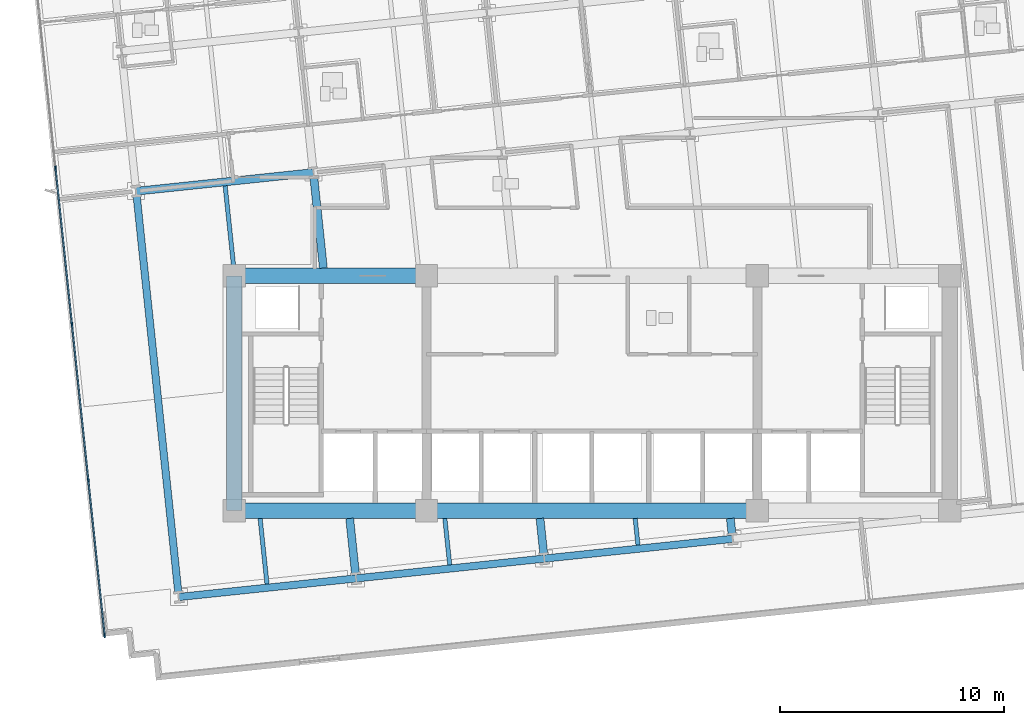
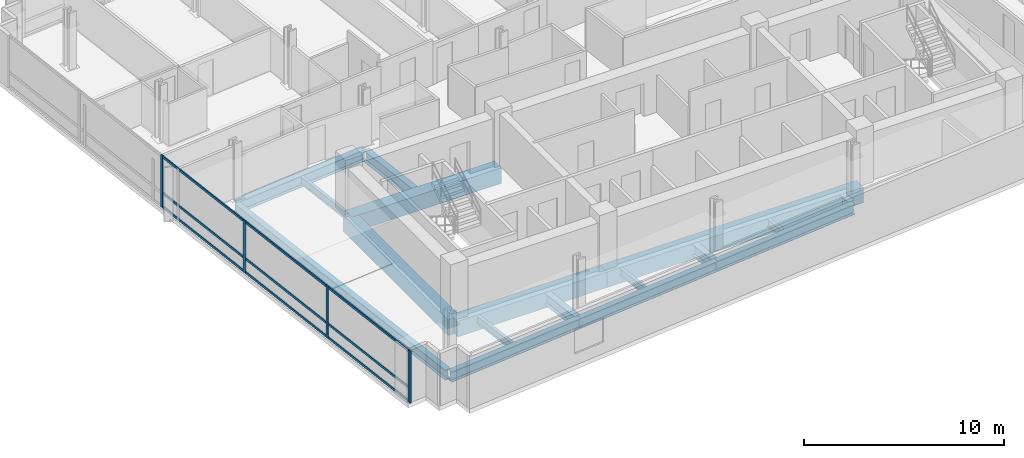
# One storey, part 2 of 19: 17 beams, 13 members, 1 element without a shape of its own.
"""IFC4 building model written with IfcOpenShell, lengths in metres."""

from ifc_helpers import new_model, si_unit, direction, frame, origin, origin_2d, place, context, subcontext, project, spatial, rectangle, i_section, extrude, material, material_profile, profile_set, type_object, element, aggregate, save


model = new_model("IFC4")

# Units and contexts
model_context = context("Model", 3, precision=1e-05, world=origin(), true_north=direction((0.0, 1.0)))
body_context = subcontext(model_context, "Body", "Model", "MODEL_VIEW")
ifc_project = project(units=[si_unit("LENGTHUNIT", "METRE"), si_unit("AREAUNIT", "SQUARE_METRE"), si_unit("VOLUMEUNIT", "CUBIC_METRE"), si_unit("PLANEANGLEUNIT", "RADIAN"), si_unit("MASSUNIT", "GRAM", prefix="KILO")], contexts=[model_context])

# Site, building, storey
site_placement = place(None, origin())
site = spatial("IfcSite", under=ifc_project, at=site_placement, CompositionType="ELEMENT")
building_placement = place(site_placement, origin())
building = spatial("IfcBuilding", under=site, at=building_placement, Name="Solmavex Isthmus Hotel", CompositionType="ELEMENT")
storey_placement = place(building_placement, frame((0.0, 0.0, 83.550048828125)))
storey = spatial("IfcBuildingStorey", under=building, at=storey_placement, Name="L22", CompositionType="ELEMENT", Elevation=83.550048828125)

# Beams
ifc_material_1 = material(Name="Steel ASTM A992 Grade 50", Category="steel")
ifc_material_profile_1 = material_profile(ifc_material_1, i_section(OverallWidth=0.354736328125, OverallDepth=0.695556640625, WebThickness=0.015380859375, FlangeThickness=0.02490234375, FilletRadius=0.017822265625, at=origin_2d()), Name="W27X146")
ifc_profile_set_1 = profile_set([ifc_material_profile_1], Name="Steel ASTM A992 Grade 50")
beam_type_1 = type_object("IfcBeamType", Name="BM-BG-W27X146", PredefinedType="BEAM", material=ifc_profile_set_1)
beam_1_placement = place(storey_placement, frame((-20.383056640625, 1.28564453125, -0.60791015625), z_axis=(0.994520217478, 0.10454442609, 0.0), x_axis=(-0.10454442609, 0.994520217478, 0.0)))
element("IfcBeam", 1, at=beam_1_placement, inside=storey, type_object=beam_type_1, Name="Floor Girder L22-UG07", PredefinedType="BEAM", context=body_context, shape_type="SweptSolid", body=[
    extrude(i_section(OverallWidth=0.354736328125, OverallDepth=0.695556640625, WebThickness=0.015380859375, FlangeThickness=0.02490234375, FilletRadius=0.017822265625, at=origin_2d()), origin(), (0.0, 0.0, 1.0), 7.968017578125),
])
beam_2_placement = place(storey_placement, frame((-10.568115234375, -15.868896484375, -0.60791015625), z_axis=(-0.104589444628, 0.994515484079, 0.0), x_axis=(-0.994515484079, -0.104589444628, 0.0)))
element("IfcBeam", 2, at=beam_2_placement, inside=storey, type_object=beam_type_1, Name="Floor Beam L22-VG28", PredefinedType="BEAM", context=body_context, shape_type="SweptSolid", body=[
    extrude(i_section(OverallWidth=0.354736328125, OverallDepth=0.695556640625, WebThickness=0.015380859375, FlangeThickness=0.02490234375, FilletRadius=0.017822265625, at=origin_2d()), origin(), (0.0, 0.0, 1.0), 2.53271484375),
])
beam_3_placement = place(storey_placement, frame((-12.010009765625, -2.14990234375, -0.60791015625), z_axis=(-0.104548881212, 0.994519749144, 0.0), x_axis=(-0.994519749144, -0.104548881212, 0.0)))
element("IfcBeam", 3, at=beam_3_placement, inside=storey, type_object=beam_type_1, Name="Floor Beam L22-VG29", PredefinedType="BEAM", context=body_context, shape_type="SweptSolid", body=[
    extrude(i_section(OverallWidth=0.354736328125, OverallDepth=0.695556640625, WebThickness=0.015380859375, FlangeThickness=0.02490234375, FilletRadius=0.017822265625, at=origin_2d()), origin(), (0.0, 0.0, 1.0), 4.114501953125),
])
beam_4_placement = place(storey_placement, frame((-2.148681640625, -14.984130859375, -0.60791015625), z_axis=(-0.104460468373, 0.99452903957, 0.0), x_axis=(-0.99452903957, -0.104460468373, 0.0)))
element("IfcBeam", 4, at=beam_4_placement, inside=storey, type_object=beam_type_1, Name="Floor Beam L22-VG32", PredefinedType="BEAM", context=body_context, shape_type="SweptSolid", body=[
    extrude(i_section(OverallWidth=0.354736328125, OverallDepth=0.695556640625, WebThickness=0.015380859375, FlangeThickness=0.02490234375, FilletRadius=0.017822265625, at=origin_2d()), origin(), (0.0, 0.0, 1.0), 1.64306640625),
])
beam_5_placement = place(storey_placement, frame((6.27099609375, -14.09912109375, -0.60791015625), z_axis=(-0.104381041728, 0.99453737895, 0.0), x_axis=(-0.99453737895, -0.104381041728, 0.0)))
element("IfcBeam", 5, at=beam_5_placement, inside=storey, type_object=beam_type_1, Name="Floor Beam L22-VG36", PredefinedType="BEAM", context=body_context, shape_type="SweptSolid", body=[
    extrude(i_section(OverallWidth=0.354736328125, OverallDepth=0.695556640625, WebThickness=0.015380859375, FlangeThickness=0.02490234375, FilletRadius=0.017822265625, at=origin_2d()), origin(), (0.0, 0.0, 1.0), 0.753173828125),
])
ifc_material_profile_2 = material_profile(ifc_material_1, i_section(OverallWidth=0.1904296875, OverallDepth=0.456787109375, WebThickness=0.009033203125, FlangeThickness=0.014404296875, FilletRadius=0.0126953125, at=origin_2d()), Name="W18X50")
ifc_profile_set_2 = profile_set([ifc_material_profile_2], Name="Steel ASTM A992 Grade 50")
beam_type_2 = type_object("IfcBeamType", Name="BM-BJ-W18X50", PredefinedType="JOIST", material=ifc_profile_set_2)
beam_6_placement = place(storey_placement, frame((-14.5302734375, -16.285400390625, -0.488525390625), z_axis=(-0.104555607512, 0.994519042019, 0.0), x_axis=(-0.994519042019, -0.104555607512, 0.0)))
element("IfcBeam", 6, at=beam_6_placement, inside=storey, type_object=beam_type_2, Name="Secondary Floor Joist L22-J01", PredefinedType="JOIST", context=body_context, shape_type="SweptSolid", body=[
    extrude(i_section(OverallWidth=0.1904296875, OverallDepth=0.456787109375, WebThickness=0.009033203125, FlangeThickness=0.014404296875, FilletRadius=0.0126953125, at=origin_2d()), origin(), (0.0, 0.0, 1.0), 2.951416015625),
])
beam_7_placement = place(storey_placement, frame((-16.01611328125, -2.14990234375, -0.488525390625), z_axis=(-0.104505969986, 0.99452425925, 0.0), x_axis=(-0.99452425925, -0.104505969986, 0.0)))
element("IfcBeam", 7, at=beam_7_placement, inside=storey, type_object=beam_type_2, Name="Secondary Floor Joist L22-J02", PredefinedType="JOIST", context=body_context, shape_type="SweptSolid", body=[
    extrude(i_section(OverallWidth=0.1904296875, OverallDepth=0.456787109375, WebThickness=0.009033203125, FlangeThickness=0.014404296875, FilletRadius=0.0126953125, at=origin_2d()), origin(), (0.0, 0.0, 1.0), 3.69580078125),
])
beam_8_placement = place(storey_placement, frame((-6.3583984375, -15.426513671875, -0.488525390625), z_axis=(-0.104538696399, 0.99452081977, 0.0), x_axis=(-0.99452081977, -0.104538696399, 0.0)))
element("IfcBeam", 8, at=beam_8_placement, inside=storey, type_object=beam_type_2, Name="Secondary Floor Joist L22-J05", PredefinedType="JOIST", context=body_context, shape_type="SweptSolid", body=[
    extrude(i_section(OverallWidth=0.1904296875, OverallDepth=0.456787109375, WebThickness=0.009033203125, FlangeThickness=0.014404296875, FilletRadius=0.0126953125, at=origin_2d()), origin(), (0.0, 0.0, 1.0), 2.087890625),
])
beam_9_placement = place(storey_placement, frame((2.061279296875, -14.54150390625, -0.488525390625), z_axis=(-0.104546872872, 0.994519960269, 0.0), x_axis=(-0.994519960269, -0.104546872872, 0.0)))
element("IfcBeam", 9, at=beam_9_placement, inside=storey, type_object=beam_type_2, Name="Secondary Floor Joist L22-J09", PredefinedType="JOIST", context=body_context, shape_type="SweptSolid", body=[
    extrude(i_section(OverallWidth=0.1904296875, OverallDepth=0.456787109375, WebThickness=0.009033203125, FlangeThickness=0.014404296875, FilletRadius=0.0126953125, at=origin_2d()), origin(), (0.0, 0.0, 1.0), 1.197998046875),
])
ifc_material_2 = material(Name="Concrete C60/75", Category="concrete")
ifc_material_profile_3 = material_profile(ifc_material_2, rectangle(XDim=0.699951171875, YDim=0.949951171875, at=origin_2d()), Name="RC700X950")
ifc_profile_set_3 = profile_set([ifc_material_profile_3], Name="Concrete C60/75")
beam_type_3 = type_object("IfcBeamType", Name="BM-CB-700X950", PredefinedType="BEAM", material=ifc_profile_set_3)
beam_10_placement = place(storey_placement, frame((-16.0, -13.0, -0.735107421875), z_axis=(1.0, 0.0, 0.0), x_axis=(0.0, 1.0, 0.0)))
element("IfcBeam", 10, at=beam_10_placement, inside=storey, type_object=beam_type_3, Name="Core Coupling Beam L22-CB1", PredefinedType="BEAM", context=body_context, shape_type="SweptSolid", body=[
    extrude(rectangle(XDim=0.699951171875, YDim=0.949951171875, at=origin_2d()), origin(), (0.0, 0.0, 1.0), 8.60009765625),
])
beam_11_placement = place(storey_placement, frame((-7.39990234375, -13.0, -0.735107421875), z_axis=(1.0, 0.0, 0.0), x_axis=(0.0, 1.0, 0.0)))
element("IfcBeam", 11, at=beam_11_placement, inside=storey, type_object=beam_type_3, Name="Core Coupling Beam L22-CB2", PredefinedType="BEAM", context=body_context, shape_type="SweptSolid", body=[
    extrude(rectangle(XDim=0.699951171875, YDim=0.949951171875, at=origin_2d()), origin(), (0.0, 0.0, 1.0), 14.7998046875),
])
beam_12_placement = place(storey_placement, frame((-16.0, -2.5, -0.735107421875), z_axis=(1.0, 0.0, 0.0), x_axis=(0.0, 1.0, 0.0)))
element("IfcBeam", 12, at=beam_12_placement, inside=storey, type_object=beam_type_3, Name="Core Coupling Beam L22-CB4", PredefinedType="BEAM", context=body_context, shape_type="SweptSolid", body=[
    extrude(rectangle(XDim=0.699951171875, YDim=0.949951171875, at=origin_2d()), origin(), (0.0, 0.0, 1.0), 8.60009765625),
])
beam_13_placement = place(storey_placement, frame((-16.0, -13.0, -0.735107421875), z_axis=(0.0, 1.0, 0.0), x_axis=(-1.0, 0.0, 0.0)))
element("IfcBeam", 13, at=beam_13_placement, inside=storey, type_object=beam_type_3, Name="Core Coupling Beam L22-CB7", PredefinedType="BEAM", context=body_context, shape_type="SweptSolid", body=[
    extrude(rectangle(XDim=0.699951171875, YDim=0.949951171875, at=origin_2d()), origin(), (0.0, 0.0, 1.0), 10.5),
])
ifc_material_profile_4 = material_profile(ifc_material_1, i_section(OverallWidth=0.326416015625, OverallDepth=0.621826171875, WebThickness=0.015380859375, FlangeThickness=0.0244140625, FilletRadius=0.01513671875, at=origin_2d()), Name="W24X131")
ifc_profile_set_4 = profile_set([ifc_material_profile_4], Name="Steel ASTM A992 Grade 50")
beam_type_4 = type_object("IfcBeamType", Name="BM-SP-W24X131", PredefinedType="SPANDREL", material=ifc_profile_set_4)
beam_14_placement = place(storey_placement, frame((-18.475341796875, -16.8642578125, -0.571044921875), z_axis=(0.994523402738, 0.104514120609, 0.0), x_axis=(-0.104514120609, 0.994523402738, 0.0)))
element("IfcBeam", 14, at=beam_14_placement, inside=storey, type_object=beam_type_4, Name="Floor Girder L22-UG01", PredefinedType="SPANDREL", context=body_context, shape_type="SweptSolid", body=[
    extrude(i_section(OverallWidth=0.326416015625, OverallDepth=0.621826171875, WebThickness=0.015380859375, FlangeThickness=0.0244140625, FilletRadius=0.01513671875, at=origin_2d()), origin(), (0.0, 0.0, 1.0), 7.968017578125),
])
beam_15_placement = place(storey_placement, frame((-10.551025390625, -16.031494140625, -0.571044921875), z_axis=(0.994520770064, 0.104539169271, 0.0), x_axis=(-0.104539169271, 0.994520770064, 0.0)))
element("IfcBeam", 15, at=beam_15_placement, inside=storey, type_object=beam_type_4, Name="Floor Girder L22-UG02", PredefinedType="SPANDREL", context=body_context, shape_type="SweptSolid", body=[
    extrude(i_section(OverallWidth=0.326416015625, OverallDepth=0.621826171875, WebThickness=0.015380859375, FlangeThickness=0.0244140625, FilletRadius=0.01513671875, at=origin_2d()), origin(), (0.0, 0.0, 1.0), 8.4658203125),
])
beam_16_placement = place(storey_placement, frame((-2.131591796875, -15.146484375, -0.571044921875), z_axis=(0.994521085209, 0.104536171134, 0.0), x_axis=(-0.104536171134, 0.994521085209, 0.0)))
element("IfcBeam", 16, at=beam_16_placement, inside=storey, type_object=beam_type_4, Name="Floor Girder L22-UG03", PredefinedType="SPANDREL", context=body_context, shape_type="SweptSolid", body=[
    extrude(i_section(OverallWidth=0.326416015625, OverallDepth=0.621826171875, WebThickness=0.015380859375, FlangeThickness=0.0244140625, FilletRadius=0.01513671875, at=origin_2d()), origin(), (0.0, 0.0, 1.0), 8.466064453125),
])
beam_17_placement = place(storey_placement, frame((-18.492431640625, -16.701904296875, -0.571044921875), z_axis=(-0.104530088192, 0.99452172458, 0.0), x_axis=(-0.99452172458, -0.104530088192, 0.0)))
element("IfcBeam", 17, at=beam_17_placement, inside=storey, type_object=beam_type_4, Name="Floor Beam L22-VG25", PredefinedType="SPANDREL", context=body_context, shape_type="SweptSolid", body=[
    extrude(i_section(OverallWidth=0.326416015625, OverallDepth=0.621826171875, WebThickness=0.015380859375, FlangeThickness=0.0244140625, FilletRadius=0.01513671875, at=origin_2d()), origin(), (0.0, 0.0, 1.0), 17.909423828125),
])

# Curtain wall, members
ifc_material_3 = material(Name="Aluminium alloy 6063-T6", Category="aluminium")
curtain_wall_type = type_object("IfcCurtainWallType", Name="CW-SYS-03", PredefinedType="NOTDEFINED", material=ifc_material_3)
curtain_wall_placement = place(storey_placement, origin())
curtain_wall = element("IfcCurtainWall", 18, at=curtain_wall_placement, inside=storey, type_object=curtain_wall_type, Name="Stick Curtain Wall CWL-L22-W1", PredefinedType="NOTDEFINED")
ifc_material_profile_5 = material_profile(ifc_material_3, rectangle(XDim=0.070068359375, YDim=0.179931640625, at=origin_2d()), Name="CWM-70X180")
ifc_profile_set_5 = profile_set([ifc_material_profile_5], Name="Aluminium alloy 6063-T6")
member_type_1 = type_object("IfcMemberType", Name="CW-SYS-03-MUL", PredefinedType="MULLION", material=ifc_profile_set_5)
member_1_placement = place(storey_placement, frame((-21.793701171875, -18.585693359375, 0.0), z_axis=(0.0, 0.0, 1.0), x_axis=(-0.994521893044, -0.104528485381, 0.0)))
member_1 = element("IfcMember", 19, at=member_1_placement, type_object=member_type_1, Name="CW-03 mullion 1", PredefinedType="MULLION", context=body_context, shape_type="SweptSolid", body=[
    extrude(rectangle(XDim=0.070068359375, YDim=0.179931640625, at=origin_2d()), origin(), (0.0, 0.0, 1.0), 3.18994140625),
])
member_2_placement = place(storey_placement, frame((-22.52392578125, -11.638916015625, 0.0), z_axis=(0.0, 0.0, 1.0), x_axis=(-0.994521893044, -0.104528485381, 0.0)))
member_2 = element("IfcMember", 20, at=member_2_placement, type_object=member_type_1, Name="CW-03 mullion 2", PredefinedType="MULLION", context=body_context, shape_type="SweptSolid", body=[
    extrude(rectangle(XDim=0.070068359375, YDim=0.179931640625, at=origin_2d()), origin(), (0.0, 0.0, 1.0), 3.18994140625),
])
member_3_placement = place(storey_placement, frame((-23.257568359375, -4.6572265625, 0.0), z_axis=(0.0, 0.0, 1.0), x_axis=(-0.994521893044, -0.104528485381, 0.0)))
member_3 = element("IfcMember", 21, at=member_3_placement, type_object=member_type_1, Name="CW-03 mullion 3", PredefinedType="MULLION", context=body_context, shape_type="SweptSolid", body=[
    extrude(rectangle(XDim=0.070068359375, YDim=0.179931640625, at=origin_2d()), origin(), (0.0, 0.0, 1.0), 3.18994140625),
])
member_4_placement = place(storey_placement, frame((-23.991455078125, 2.32421875, 0.0), z_axis=(0.0, 0.0, 1.0), x_axis=(-0.994521893044, -0.104528485381, 0.0)))
member_4 = element("IfcMember", 22, at=member_4_placement, type_object=member_type_1, Name="CW-03 mullion 4", PredefinedType="MULLION", context=body_context, shape_type="SweptSolid", body=[
    extrude(rectangle(XDim=0.070068359375, YDim=0.179931640625, at=origin_2d()), origin(), (0.0, 0.0, 1.0), 3.18994140625),
])
ifc_material_profile_6 = material_profile(ifc_material_3, rectangle(XDim=0.070068359375, YDim=0.139892578125, at=origin_2d()), Name="CWT-70X140")
ifc_profile_set_6 = profile_set([ifc_material_profile_6], Name="Aluminium alloy 6063-T6")
member_type_2 = type_object("IfcMemberType", Name="CW-SYS-03-TRN", PredefinedType="USERDEFINED", material=ifc_profile_set_6)
member_5_placement = place(storey_placement, frame((-21.79736328125, -18.55078125, 0.070068359375), z_axis=(-0.104539595565, 0.994520725254, 0.0), x_axis=(-0.994520725254, -0.104539595565, 0.0)))
member_5 = element("IfcMember", 23, at=member_5_placement, type_object=member_type_2, Name="CW-03 transom 1.1", ObjectType="TRANSOM", PredefinedType="USERDEFINED", context=body_context, shape_type="SweptSolid", body=[
    extrude(rectangle(XDim=0.070068359375, YDim=0.139892578125, at=origin_2d()), origin(), (0.0, 0.0, 1.0), 6.9150390625),
])
member_6_placement = place(storey_placement, frame((-21.79736328125, -18.55078125, 0.89990234375), z_axis=(-0.104539595565, 0.994520725254, 0.0), x_axis=(-0.994520725254, -0.104539595565, 0.0)))
member_6 = element("IfcMember", 24, at=member_6_placement, type_object=member_type_2, Name="CW-03 transom 1.2", ObjectType="TRANSOM", PredefinedType="USERDEFINED", context=body_context, shape_type="SweptSolid", body=[
    extrude(rectangle(XDim=0.070068359375, YDim=0.139892578125, at=origin_2d()), origin(), (0.0, 0.0, 1.0), 6.9150390625),
])
member_7_placement = place(storey_placement, frame((-21.79736328125, -18.55078125, 3.119873046875), z_axis=(-0.104539595565, 0.994520725254, 0.0), x_axis=(-0.994520725254, -0.104539595565, 0.0)))
member_7 = element("IfcMember", 25, at=member_7_placement, type_object=member_type_2, Name="CW-03 transom 1.3", ObjectType="TRANSOM", PredefinedType="USERDEFINED", context=body_context, shape_type="SweptSolid", body=[
    extrude(rectangle(XDim=0.070068359375, YDim=0.139892578125, at=origin_2d()), origin(), (0.0, 0.0, 1.0), 6.9150390625),
])
member_8_placement = place(storey_placement, frame((-22.527587890625, -11.60400390625, 0.070068359375), z_axis=(-0.104507407784, 0.994524108163, 0.0), x_axis=(-0.994524108163, -0.104507407784, 0.0)))
member_8 = element("IfcMember", 26, at=member_8_placement, type_object=member_type_2, Name="CW-03 transom 2.1", ObjectType="TRANSOM", PredefinedType="USERDEFINED", context=body_context, shape_type="SweptSolid", body=[
    extrude(rectangle(XDim=0.070068359375, YDim=0.139892578125, at=origin_2d()), origin(), (0.0, 0.0, 1.0), 6.949951171875),
])
member_9_placement = place(storey_placement, frame((-22.527587890625, -11.60400390625, 0.89990234375), z_axis=(-0.104507407784, 0.994524108163, 0.0), x_axis=(-0.994524108163, -0.104507407784, 0.0)))
member_9 = element("IfcMember", 27, at=member_9_placement, type_object=member_type_2, Name="CW-03 transom 2.2", ObjectType="TRANSOM", PredefinedType="USERDEFINED", context=body_context, shape_type="SweptSolid", body=[
    extrude(rectangle(XDim=0.070068359375, YDim=0.139892578125, at=origin_2d()), origin(), (0.0, 0.0, 1.0), 6.949951171875),
])
member_10_placement = place(storey_placement, frame((-22.527587890625, -11.60400390625, 3.119873046875), z_axis=(-0.104507407784, 0.994524108163, 0.0), x_axis=(-0.994524108163, -0.104507407784, 0.0)))
member_10 = element("IfcMember", 28, at=member_10_placement, type_object=member_type_2, Name="CW-03 transom 2.3", ObjectType="TRANSOM", PredefinedType="USERDEFINED", context=body_context, shape_type="SweptSolid", body=[
    extrude(rectangle(XDim=0.070068359375, YDim=0.139892578125, at=origin_2d()), origin(), (0.0, 0.0, 1.0), 6.949951171875),
])
member_11_placement = place(storey_placement, frame((-23.26123046875, -4.62255859375, 0.070068359375), z_axis=(-0.104538500317, 0.994520840381, 0.0), x_axis=(-0.994520840381, -0.104538500317, 0.0)))
member_11 = element("IfcMember", 29, at=member_11_placement, type_object=member_type_2, Name="CW-03 transom 3.1", ObjectType="TRANSOM", PredefinedType="USERDEFINED", context=body_context, shape_type="SweptSolid", body=[
    extrude(rectangle(XDim=0.070068359375, YDim=0.139892578125, at=origin_2d()), origin(), (0.0, 0.0, 1.0), 6.9501953125),
])
member_12_placement = place(storey_placement, frame((-23.26123046875, -4.62255859375, 0.89990234375), z_axis=(-0.104538500317, 0.994520840381, 0.0), x_axis=(-0.994520840381, -0.104538500317, 0.0)))
member_12 = element("IfcMember", 30, at=member_12_placement, type_object=member_type_2, Name="CW-03 transom 3.2", ObjectType="TRANSOM", PredefinedType="USERDEFINED", context=body_context, shape_type="SweptSolid", body=[
    extrude(rectangle(XDim=0.070068359375, YDim=0.139892578125, at=origin_2d()), origin(), (0.0, 0.0, 1.0), 6.9501953125),
])
member_13_placement = place(storey_placement, frame((-23.26123046875, -4.62255859375, 3.119873046875), z_axis=(-0.104538500317, 0.994520840381, 0.0), x_axis=(-0.994520840381, -0.104538500317, 0.0)))
member_13 = element("IfcMember", 31, at=member_13_placement, type_object=member_type_2, Name="CW-03 transom 3.3", ObjectType="TRANSOM", PredefinedType="USERDEFINED", context=body_context, shape_type="SweptSolid", body=[
    extrude(rectangle(XDim=0.070068359375, YDim=0.139892578125, at=origin_2d()), origin(), (0.0, 0.0, 1.0), 6.9501953125),
])
aggregate(curtain_wall, [member_1, member_2, member_3, member_4, member_5, member_6, member_7, member_8, member_9, member_10, member_11, member_12, member_13])

save(model, "model.ifc")
